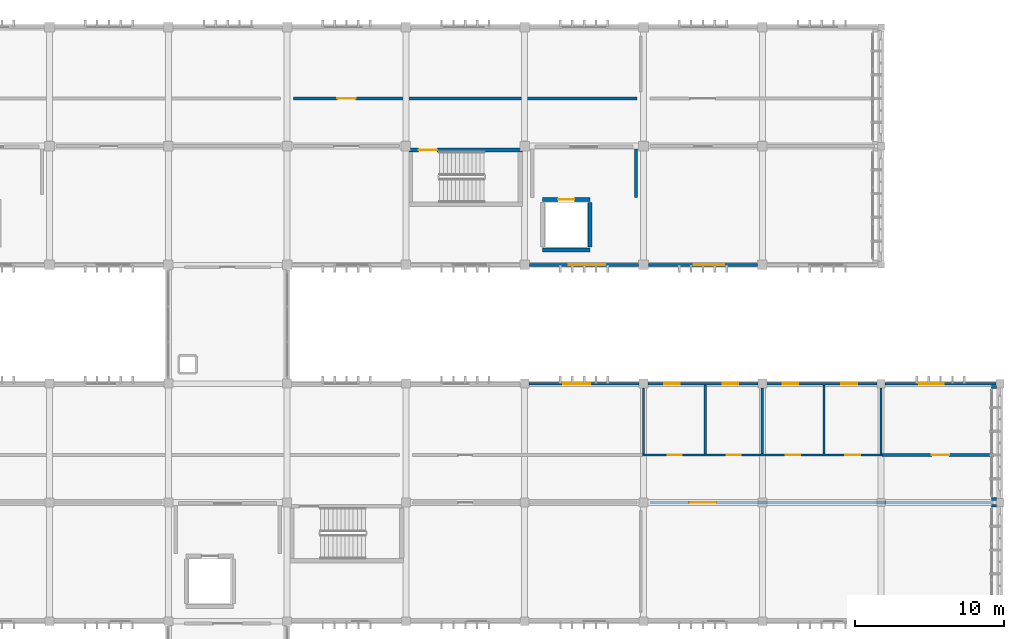
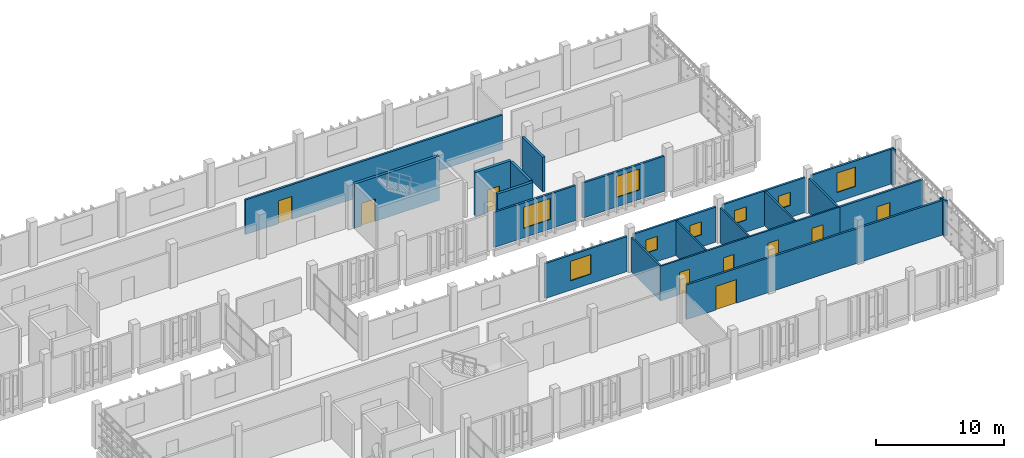
# One storey, part 53 of 63: 23 walls, 9 doors, 8 windows, 17 openings.
"""IFC4 building model written with IfcOpenShell, lengths in metres."""

from ifc_helpers import new_model, si_unit, direction, frame, frame_2d, origin, place, context, subcontext, project, spatial, rectangle, extrude, material, layer, layer_set, type_object, element, fill, save


model = new_model("IFC4")

# Units and contexts
model_context = context("Model", 3, precision=1e-05, world=origin(), true_north=direction((0.0, 1.0)))
body_context = subcontext(model_context, "Body", "Model", "MODEL_VIEW")
ifc_project = project(units=[si_unit("LENGTHUNIT", "METRE"), si_unit("AREAUNIT", "SQUARE_METRE"), si_unit("VOLUMEUNIT", "CUBIC_METRE"), si_unit("PLANEANGLEUNIT", "RADIAN"), si_unit("MASSUNIT", "GRAM", prefix="KILO")], contexts=[model_context])

# Site, building, storey
site_placement = place(None, origin())
site = spatial("IfcSite", under=ifc_project, at=site_placement, CompositionType="ELEMENT")
building_placement = place(site_placement, origin())
building = spatial("IfcBuilding", under=site, at=building_placement, Name="Jelvoka-Kovrelna Polytechnic", CompositionType="ELEMENT")
storey_placement = place(building_placement, frame((0.0, 0.0, 18.0)))
storey = spatial("IfcBuildingStorey", under=building, at=storey_placement, Name="L05", CompositionType="ELEMENT", Elevation=18.0)

# Wall
ifc_material_1 = material(Name="Concrete C35/45", Category="concrete")
ifc_layer_1 = layer(ifc_material_1, 0.219970703125)
ifc_layer_set_1 = layer_set([ifc_layer_1], Name="Concrete C35/45")
wall_type_1 = type_object("IfcWallType", Name="Wall_Compartment_220", PredefinedType="PARTITIONING", material=ifc_layer_set_1)
wall_1_placement = place(storey_placement, frame((175.5, 60.550048828125, 0.0), z_axis=(0.0, 0.0, 1.0), x_axis=(0.0, 1.0, 0.0)))
element("IfcWall", 1, at=wall_1_placement, inside=storey, type_object=wall_type_1, Name="L05 interior wall 0369", PredefinedType="PARTITIONING", context=body_context, shape_type="SweptSolid", body=[
    extrude(rectangle(XDim=3.25, YDim=0.219970703125, at=frame_2d((1.625, 0.0))), origin(), (0.0, 0.0, 1.0), 3.300048828125),
])

# Wall, opening, door
ifc_material_2 = material(Name="Concrete C40/50", Category="concrete")
ifc_layer_2 = layer(ifc_material_2, 0.25)
ifc_layer_set_2 = layer_set([ifc_layer_2], Name="Concrete C40/50")
wall_type_2 = type_object("IfcWallType", Name="Wall_Core_250", PredefinedType="SOLIDWALL", material=ifc_layer_set_2)
wall_2_placement = place(storey_placement, frame((160.199951171875, 63.739990234375, 0.0), z_axis=(0.0, 0.0, 1.0), x_axis=(1.0, 0.0, 0.0)))
wall_2 = element("IfcWall", 2, at=wall_2_placement, inside=storey, type_object=wall_type_2, Name="L05 interior wall 0203", PredefinedType="SOLIDWALL", context=body_context, shape_type="SweptSolid", body=[
    extrude(rectangle(XDim=7.650146484375, YDim=0.25, at=frame_2d((3.8251953125, 0.0))), origin(), (0.0, 0.0, 1.0), 4.199951171875),
])
opening_1_placement = place(wall_2_placement, frame((0.64990234375, 0.0, 0.0)))
opening_1 = element("IfcOpeningElement", 3, at=opening_1_placement, cuts=wall_2, Name="Opening SD-L05-051", PredefinedType="OPENING", context=body_context, shape_type="SweptSolid", body=[
    extrude(rectangle(XDim=1.25, YDim=2.14990234375, at=frame_2d((0.625, 1.074951171875))), frame((0.0, 0.135009765625, 0.0), z_axis=(0.0, -1.0, 0.0), x_axis=(1.0, 0.0, 0.0)), (0.0, 0.0, 1.0), 0.27001953125),
])
ifc_material_3 = material(Name="Powder-coated steel fire door", Category="steel")
door_type_1 = type_object("IfcDoorType", Name="Door_Fire_FD02", OperationType="NOTDEFINED", PredefinedType="DOOR", material=ifc_material_3)
door_1_placement = place(opening_1_placement, origin())
door_1 = element("IfcDoor", 4, at=door_1_placement, inside=storey, type_object=door_type_1, Name="L05 interior door SD-L05-051", OperationType="SINGLE_SWING_LEFT", OverallHeight=2.14990234375, OverallWidth=1.25, PredefinedType="DOOR", context=body_context, shape_type="SweptSolid", body=[
    extrude(rectangle(XDim=1.25, YDim=2.14990234375, at=frame_2d((0.625, 1.074951171875))), frame((0.0, 0.02490234375, 0.0), z_axis=(0.0, -1.0, 0.0), x_axis=(1.0, 0.0, 0.0)), (0.0, 0.0, 1.0), 0.050048828125),
])
fill(opening_1, door_1)

# Wall
wall_3_placement = place(storey_placement, frame((169.199951171875, 57.0, 0.0), z_axis=(0.0, 0.0, 1.0), x_axis=(1.0, 0.0, 0.0)))
element("IfcWall", 5, at=wall_3_placement, inside=storey, type_object=wall_type_2, Name="L05 interior wall 0363", PredefinedType="SOLIDWALL", context=body_context, shape_type="SweptSolid", body=[
    extrude(rectangle(XDim=3.199951171875, YDim=0.25, at=frame_2d((1.60009765625, 0.0))), origin(), (0.0, 0.0, 1.0), 4.199951171875),
])

# Wall, opening, door
wall_4_placement = place(storey_placement, frame((169.199951171875, 60.39990234375, 0.0), z_axis=(0.0, 0.0, 1.0), x_axis=(1.0, 0.0, 0.0)))
wall_4 = element("IfcWall", 6, at=wall_4_placement, inside=storey, type_object=wall_type_2, Name="L05 interior wall 0364", PredefinedType="SOLIDWALL", context=body_context, shape_type="SweptSolid", body=[
    extrude(rectangle(XDim=3.199951171875, YDim=0.25, at=frame_2d((1.60009765625, 0.0))), origin(), (0.0, 0.0, 1.0), 4.199951171875),
])
opening_2_placement = place(wall_4_placement, frame((1.050048828125, 0.0, 0.0)))
opening_2 = element("IfcOpeningElement", 7, at=opening_2_placement, cuts=wall_4, Name="Opening LD-L05-15", PredefinedType="OPENING", context=body_context, shape_type="SweptSolid", body=[
    extrude(rectangle(XDim=1.10009765625, YDim=2.14990234375, at=frame_2d((0.550048828125, 1.074951171875))), frame((0.0, 0.135009765625, 0.0), z_axis=(0.0, -1.0, 0.0), x_axis=(1.0, 0.0, 0.0)), (0.0, 0.0, 1.0), 0.27001953125),
])
ifc_material_4 = material(Name="Brushed stainless steel sliding landing door", Category="steel")
door_type_2 = type_object("IfcDoorType", Name="Door_Lift_LD01", OperationType="NOTDEFINED", PredefinedType="DOOR", material=ifc_material_4)
door_2_placement = place(opening_2_placement, origin())
door_2 = element("IfcDoor", 8, at=door_2_placement, inside=storey, type_object=door_type_2, Name="L05 lift landing sliding door LD-L05-15", OperationType="DOUBLE_DOOR_SLIDING", OverallHeight=2.14990234375, OverallWidth=1.10009765625, PredefinedType="DOOR", context=body_context, shape_type="SweptSolid", body=[
    extrude(rectangle(XDim=1.10009765625, YDim=2.14990234375, at=frame_2d((0.550048828125, 1.074951171875))), frame((0.0, 0.02490234375, 0.0), z_axis=(0.0, -1.0, 0.0), x_axis=(1.0, 0.0, 0.0)), (0.0, 0.0, 1.0), 0.050048828125),
])
fill(opening_2, door_2)

# Wall
wall_5_placement = place(storey_placement, frame((172.39990234375, 57.199951171875, 0.0), z_axis=(0.0, 0.0, 1.0), x_axis=(0.0, 1.0, 0.0)))
element("IfcWall", 9, at=wall_5_placement, inside=storey, type_object=wall_type_2, Name="L05 interior wall 0366", PredefinedType="SOLIDWALL", context=body_context, shape_type="SweptSolid", body=[
    extrude(rectangle(XDim=3.0, YDim=0.25, at=frame_2d((1.5, 0.0))), origin(), (0.0, 0.0, 1.0), 4.199951171875),
])

# Wall, opening, door
ifc_material_5 = material(Name="Autoclaved aerated concrete blockwork", Category="masonry")
ifc_layer_3 = layer(ifc_material_5, 0.179931640625)
ifc_layer_set_3 = layer_set([ifc_layer_3], Name="Autoclaved aerated concrete blockwork")
wall_type_3 = type_object("IfcWallType", Name="Wall_Corridor_180", PredefinedType="PARTITIONING", material=ifc_layer_set_3)
wall_6_placement = place(storey_placement, frame((176.429931640625, 40.0, 0.0), z_axis=(0.0, 0.0, 1.0), x_axis=(1.0, 0.0, 0.0)))
wall_6 = element("IfcWall", 10, at=wall_6_placement, inside=storey, type_object=wall_type_3, Name="L05 interior wall 1199", PredefinedType="PARTITIONING", context=body_context, shape_type="SweptSolid", body=[
    extrude(rectangle(XDim=23.14013671875, YDim=0.179931640625, at=frame_2d((11.570068359375, 0.0))), origin(), (0.0, 0.0, 1.0), 3.300048828125),
])
opening_3_placement = place(wall_6_placement, frame((2.659912109375, 0.0, 0.0)))
opening_3 = element("IfcOpeningElement", 11, at=opening_3_placement, cuts=wall_6, Name="Opening D-L05-389", PredefinedType="OPENING", context=body_context, shape_type="SweptSolid", body=[
    extrude(rectangle(XDim=1.820068359375, YDim=2.25, at=frame_2d((0.91015625, 1.125))), frame((0.0, 0.099853515625, 0.0), z_axis=(0.0, -1.0, 0.0), x_axis=(1.0, 0.0, 0.0)), (0.0, 0.0, 1.0), 0.199951171875),
])
ifc_material_6 = material(Name="Paired hardwood fire-resisting assembly door", Category="wood")
door_type_3 = type_object("IfcDoorType", Name="Door_Fire_FD30_10", OperationType="NOTDEFINED", PredefinedType="DOOR", material=ifc_material_6)
door_3_placement = place(opening_3_placement, origin())
door_3 = element("IfcDoor", 12, at=door_3_placement, inside=storey, type_object=door_type_3, Name="L05 interior door D-L05-389", OperationType="DOUBLE_DOOR_SINGLE_SWING", OverallHeight=2.25, OverallWidth=1.820068359375, PredefinedType="DOOR", context=body_context, shape_type="SweptSolid", body=[
    extrude(rectangle(XDim=1.820068359375, YDim=2.25, at=frame_2d((0.91015625, 1.125))), frame((0.0, 0.02490234375, 0.0), z_axis=(0.0, -1.0, 0.0), x_axis=(1.0, 0.0, 0.0)), (0.0, 0.0, 1.0), 0.050048828125),
])
fill(opening_3, door_3)

wall_7_placement = place(storey_placement, frame((192.074951171875, 43.199951171875, 0.0), z_axis=(0.0, 0.0, 1.0), x_axis=(1.0, 0.0, 0.0)))
wall_7 = element("IfcWall", 13, at=wall_7_placement, inside=storey, type_object=wall_type_3, Name="L05 interior wall 1202", PredefinedType="PARTITIONING", context=body_context, shape_type="SweptSolid", body=[
    extrude(rectangle(XDim=7.4951171875, YDim=0.179931640625, at=frame_2d((3.74755859375, 0.0))), origin(), (0.0, 0.0, 1.0), 3.300048828125),
])
opening_4_placement = place(wall_7_placement, frame((3.35009765625, 0.0, 0.0)))
opening_4 = element("IfcOpeningElement", 14, at=opening_4_placement, cuts=wall_7, Name="Opening D-L05-392", PredefinedType="OPENING", context=body_context, shape_type="SweptSolid", body=[
    extrude(rectangle(XDim=1.14990234375, YDim=2.14990234375, at=frame_2d((0.574951171875, 1.074951171875))), frame((0.0, 0.099853515625, 0.0), z_axis=(0.0, -1.0, 0.0), x_axis=(1.0, 0.0, 0.0)), (0.0, 0.0, 1.0), 0.199951171875),
])
ifc_material_7 = material(Name="Hardwood fire-resisting laboratory door", Category="wood")
door_type_4 = type_object("IfcDoorType", Name="Door_Fire_FD30_03", OperationType="NOTDEFINED", PredefinedType="DOOR", material=ifc_material_7)
door_4_placement = place(opening_4_placement, origin())
door_4 = element("IfcDoor", 15, at=door_4_placement, inside=storey, type_object=door_type_4, Name="L05 interior door D-L05-392", OperationType="SINGLE_SWING_LEFT", OverallHeight=2.14990234375, OverallWidth=1.14990234375, PredefinedType="DOOR", context=body_context, shape_type="SweptSolid", body=[
    extrude(rectangle(XDim=1.14990234375, YDim=2.14990234375, at=frame_2d((0.574951171875, 1.074951171875))), frame((0.0, 0.02490234375, 0.0), z_axis=(0.0, -1.0, 0.0), x_axis=(1.0, 0.0, 0.0)), (0.0, 0.0, 1.0), 0.050048828125),
])
fill(opening_4, door_4)

wall_8_placement = place(storey_placement, frame((152.429931640625, 67.199951171875, 0.0), z_axis=(0.0, 0.0, 1.0), x_axis=(1.0, 0.0, 0.0)))
wall_8 = element("IfcWall", 16, at=wall_8_placement, inside=storey, type_object=wall_type_3, Name="L05 interior wall 1213", PredefinedType="PARTITIONING", context=body_context, shape_type="SweptSolid", body=[
    extrude(rectangle(XDim=23.14013671875, YDim=0.179931640625, at=frame_2d((11.570068359375, 0.0))), origin(), (0.0, 0.0, 1.0), 3.300048828125),
])
opening_5_placement = place(wall_8_placement, frame((2.9599609375, 0.0, 0.0)))
opening_5 = element("IfcOpeningElement", 17, at=opening_5_placement, cuts=wall_8, Name="Opening D-L05-402", PredefinedType="OPENING", context=body_context, shape_type="SweptSolid", body=[
    extrude(rectangle(XDim=1.219970703125, YDim=2.179931640625, at=frame_2d((0.60986328125, 1.08984375))), frame((0.0, 0.099853515625, 0.0), z_axis=(0.0, -1.0, 0.0), x_axis=(1.0, 0.0, 0.0)), (0.0, 0.0, 1.0), 0.199951171875),
])
ifc_material_8 = material(Name="Hardwood fire-resisting laboratory door", Category="wood")
door_type_5 = type_object("IfcDoorType", Name="Door_Fire_FD30_04", OperationType="NOTDEFINED", PredefinedType="DOOR", material=ifc_material_8)
door_5_placement = place(opening_5_placement, origin())
door_5 = element("IfcDoor", 18, at=door_5_placement, inside=storey, type_object=door_type_5, Name="L05 interior door D-L05-402", OperationType="SINGLE_SWING_RIGHT", OverallHeight=2.179931640625, OverallWidth=1.219970703125, PredefinedType="DOOR", context=body_context, shape_type="SweptSolid", body=[
    extrude(rectangle(XDim=1.219970703125, YDim=2.179931640625, at=frame_2d((0.60986328125, 1.08984375))), frame((0.0, 0.02490234375, 0.0), z_axis=(0.0, -1.0, 0.0), x_axis=(1.0, 0.0, 0.0)), (0.0, 0.0, 1.0), 0.050048828125),
])
fill(opening_5, door_5)

# Wall, opening, window
ifc_material_9 = material(Name="Precast concrete C40/50", Category="concrete")
ifc_layer_4 = layer(ifc_material_9, 0.18505859375)
ifc_layer_set_4 = layer_set([ifc_layer_4], Name="Precast concrete C40/50")
wall_type_4 = type_object("IfcWallType", Name="Wall_Ext_White_260", PredefinedType="STANDARD", material=ifc_layer_set_4)
wall_9_placement = place(storey_placement, frame((168.297119140625, 48.0, 0.0), z_axis=(0.0, 0.0, 1.0), x_axis=(1.0, 0.0, 0.0)))
wall_9 = element("IfcWall", 19, at=wall_9_placement, inside=storey, type_object=wall_type_4, Name="L05 exterior wall 0515", PredefinedType="STANDARD", context=body_context, shape_type="SweptSolid", body=[
    extrude(rectangle(XDim=7.40576171875, YDim=0.18505859375, at=frame_2d((3.702880859375, 0.0))), origin(), (0.0, 0.0, 1.0), 3.3349609375),
])
opening_6_placement = place(wall_9_placement, frame((2.282958984375, 0.0, 0.89990234375)))
opening_6 = element("IfcOpeningElement", 20, at=opening_6_placement, cuts=wall_9, Name="Opening W-L05-214", PredefinedType="OPENING", context=body_context, shape_type="SweptSolid", body=[
    extrude(rectangle(XDim=1.85009765625, YDim=1.85009765625, at=frame_2d((0.925048828125, 0.925048828125))), frame((0.0, 0.1025390625, 0.0), z_axis=(0.0, -1.0, 0.0), x_axis=(1.0, 0.0, 0.0)), (0.0, 0.0, 1.0), 0.205078125),
])
ifc_material_10 = material(Name="Thermally broken anodised aluminium and low-e glazing", Category="aluminium")
window_type_1 = type_object("IfcWindowType", Name="Win_Casement_W45", PartitioningType="DOUBLE_PANEL_VERTICAL", PredefinedType="WINDOW", material=ifc_material_10)
window_1_placement = place(opening_6_placement, origin())
window_1 = element("IfcWindow", 21, at=window_1_placement, inside=storey, type_object=window_type_1, Name="L05 aluminium casement window W-L05-214", OverallHeight=1.85009765625, OverallWidth=1.85009765625, PartitioningType="DOUBLE_PANEL_VERTICAL", PredefinedType="WINDOW", context=body_context, shape_type="SweptSolid", body=[
    extrude(rectangle(XDim=1.85009765625, YDim=1.85009765625, at=frame_2d((0.925048828125, 0.925048828125))), frame((0.0, 0.030029296875, 0.0), z_axis=(0.0, -1.0, 0.0), x_axis=(1.0, 0.0, 0.0)), (0.0, 0.0, 1.0), 0.06005859375),
])
fill(opening_6, window_1)

# Wall, openings, windows
wall_10_placement = place(storey_placement, frame((176.297119140625, 48.0, 0.0), z_axis=(0.0, 0.0, 1.0), x_axis=(1.0, 0.0, 0.0)))
wall_10 = element("IfcWall", 22, at=wall_10_placement, inside=storey, type_object=wall_type_4, Name="L05 exterior wall 0517", PredefinedType="STANDARD", context=body_context, shape_type="SweptSolid", body=[
    extrude(rectangle(XDim=7.40576171875, YDim=0.18505859375, at=frame_2d((3.702880859375, 0.0))), origin(), (0.0, 0.0, 1.0), 3.3349609375),
])
opening_7_placement = place(wall_10_placement, frame((1.0830078125, 0.0, 1.14990234375)))
opening_7 = element("IfcOpeningElement", 23, at=opening_7_placement, cuts=wall_10, Name="Opening W-L05-216", PredefinedType="OPENING", context=body_context, shape_type="SweptSolid", body=[
    extrude(rectangle(XDim=1.050048828125, YDim=1.25, at=frame_2d((0.52490234375, 0.625))), frame((0.0, 0.1025390625, 0.0), z_axis=(0.0, -1.0, 0.0), x_axis=(1.0, 0.0, 0.0)), (0.0, 0.0, 1.0), 0.205078125),
])
opening_8_placement = place(wall_10_placement, frame((5.032958984375, 0.0, 1.14990234375)))
opening_8 = element("IfcOpeningElement", 24, at=opening_8_placement, cuts=wall_10, Name="Opening W-L05-217", PredefinedType="OPENING", context=body_context, shape_type="SweptSolid", body=[
    extrude(rectangle(XDim=1.050048828125, YDim=1.25, at=frame_2d((0.52490234375, 0.625))), frame((0.0, 0.1025390625, 0.0), z_axis=(0.0, -1.0, 0.0), x_axis=(1.0, 0.0, 0.0)), (0.0, 0.0, 1.0), 0.205078125),
])
ifc_material_11 = material(Name="Thermally broken anodised aluminium and low-e glazing", Category="aluminium")
window_type_2 = type_object("IfcWindowType", Name="Win_Casement_W01", PartitioningType="SINGLE_PANEL", PredefinedType="WINDOW", material=ifc_material_11)
window_2_placement = place(opening_7_placement, origin())
window_2 = element("IfcWindow", 25, at=window_2_placement, inside=storey, type_object=window_type_2, Name="L05 aluminium casement window W-L05-216", OverallHeight=1.25, OverallWidth=1.050048828125, PartitioningType="SINGLE_PANEL", PredefinedType="WINDOW", context=body_context, shape_type="SweptSolid", body=[
    extrude(rectangle(XDim=1.050048828125, YDim=1.25, at=frame_2d((0.52490234375, 0.625))), frame((0.0, 0.030029296875, 0.0), z_axis=(0.0, -1.0, 0.0), x_axis=(1.0, 0.0, 0.0)), (0.0, 0.0, 1.0), 0.06005859375),
])
fill(opening_7, window_2)
window_3_placement = place(opening_8_placement, origin())
window_3 = element("IfcWindow", 26, at=window_3_placement, inside=storey, type_object=window_type_2, Name="L05 aluminium casement window W-L05-217", OverallHeight=1.25, OverallWidth=1.050048828125, PartitioningType="SINGLE_PANEL", PredefinedType="WINDOW", context=body_context, shape_type="SweptSolid", body=[
    extrude(rectangle(XDim=1.050048828125, YDim=1.25, at=frame_2d((0.52490234375, 0.625))), frame((0.0, 0.030029296875, 0.0), z_axis=(0.0, -1.0, 0.0), x_axis=(1.0, 0.0, 0.0)), (0.0, 0.0, 1.0), 0.06005859375),
])
fill(opening_8, window_3)

wall_11_placement = place(storey_placement, frame((184.297119140625, 48.0, 0.0), z_axis=(0.0, 0.0, 1.0), x_axis=(1.0, 0.0, 0.0)))
wall_11 = element("IfcWall", 27, at=wall_11_placement, inside=storey, type_object=wall_type_4, Name="L05 exterior wall 0519", PredefinedType="STANDARD", context=body_context, shape_type="SweptSolid", body=[
    extrude(rectangle(XDim=7.430908203125, YDim=0.18505859375, at=frame_2d((3.71533203125, 0.0))), origin(), (0.0, 0.0, 1.0), 3.3349609375),
])
opening_9_placement = place(wall_11_placement, frame((1.0830078125, 0.0, 1.14990234375)))
opening_9 = element("IfcOpeningElement", 28, at=opening_9_placement, cuts=wall_11, Name="Opening W-L05-219", PredefinedType="OPENING", context=body_context, shape_type="SweptSolid", body=[
    extrude(rectangle(XDim=1.050048828125, YDim=1.25, at=frame_2d((0.52490234375, 0.625))), frame((0.0, 0.1025390625, 0.0), z_axis=(0.0, -1.0, 0.0), x_axis=(1.0, 0.0, 0.0)), (0.0, 0.0, 1.0), 0.205078125),
])
opening_10_placement = place(wall_11_placement, frame((5.032958984375, 0.0, 1.14990234375)))
opening_10 = element("IfcOpeningElement", 29, at=opening_10_placement, cuts=wall_11, Name="Opening W-L05-220", PredefinedType="OPENING", context=body_context, shape_type="SweptSolid", body=[
    extrude(rectangle(XDim=1.050048828125, YDim=1.25, at=frame_2d((0.52490234375, 0.625))), frame((0.0, 0.1025390625, 0.0), z_axis=(0.0, -1.0, 0.0), x_axis=(1.0, 0.0, 0.0)), (0.0, 0.0, 1.0), 0.205078125),
])
window_4_placement = place(opening_9_placement, origin())
window_4 = element("IfcWindow", 30, at=window_4_placement, inside=storey, type_object=window_type_2, Name="L05 aluminium casement window W-L05-219", OverallHeight=1.25, OverallWidth=1.050048828125, PartitioningType="SINGLE_PANEL", PredefinedType="WINDOW", context=body_context, shape_type="SweptSolid", body=[
    extrude(rectangle(XDim=1.050048828125, YDim=1.25, at=frame_2d((0.52490234375, 0.625))), frame((0.0, 0.030029296875, 0.0), z_axis=(0.0, -1.0, 0.0), x_axis=(1.0, 0.0, 0.0)), (0.0, 0.0, 1.0), 0.06005859375),
])
fill(opening_9, window_4)
window_5_placement = place(opening_10_placement, origin())
window_5 = element("IfcWindow", 31, at=window_5_placement, inside=storey, type_object=window_type_2, Name="L05 aluminium casement window W-L05-220", OverallHeight=1.25, OverallWidth=1.050048828125, PartitioningType="SINGLE_PANEL", PredefinedType="WINDOW", context=body_context, shape_type="SweptSolid", body=[
    extrude(rectangle(XDim=1.050048828125, YDim=1.25, at=frame_2d((0.52490234375, 0.625))), frame((0.0, 0.030029296875, 0.0), z_axis=(0.0, -1.0, 0.0), x_axis=(1.0, 0.0, 0.0)), (0.0, 0.0, 1.0), 0.06005859375),
])
fill(opening_10, window_5)

# Wall, opening, window
wall_12_placement = place(storey_placement, frame((192.27197265625, 48.0, 0.0), z_axis=(0.0, 0.0, 1.0), x_axis=(1.0, 0.0, 0.0)))
wall_12 = element("IfcWall", 32, at=wall_12_placement, inside=storey, type_object=wall_type_4, Name="L05 exterior wall 0521", PredefinedType="STANDARD", context=body_context, shape_type="SweptSolid", body=[
    extrude(rectangle(XDim=7.4560546875, YDim=0.18505859375, at=frame_2d((3.72802734375, 0.0))), origin(), (0.0, 0.0, 1.0), 3.3349609375),
])
opening_11_placement = place(wall_12_placement, frame((2.30810546875, 0.0, 0.89990234375)))
opening_11 = element("IfcOpeningElement", 33, at=opening_11_placement, cuts=wall_12, Name="Opening W-L05-222", PredefinedType="OPENING", context=body_context, shape_type="SweptSolid", body=[
    extrude(rectangle(XDim=1.64990234375, YDim=1.85009765625, at=frame_2d((0.824951171875, 0.925048828125))), frame((0.0, 0.1025390625, 0.0), z_axis=(0.0, -1.0, 0.0), x_axis=(1.0, 0.0, 0.0)), (0.0, 0.0, 1.0), 0.205078125),
])
ifc_material_12 = material(Name="Thermally broken anodised aluminium and low-e glazing", Category="aluminium")
window_type_3 = type_object("IfcWindowType", Name="Win_Casement_W44", PartitioningType="DOUBLE_PANEL_VERTICAL", PredefinedType="WINDOW", material=ifc_material_12)
window_6_placement = place(opening_11_placement, origin())
window_6 = element("IfcWindow", 34, at=window_6_placement, inside=storey, type_object=window_type_3, Name="L05 aluminium casement window W-L05-222", OverallHeight=1.85009765625, OverallWidth=1.64990234375, PartitioningType="DOUBLE_PANEL_VERTICAL", PredefinedType="WINDOW", context=body_context, shape_type="SweptSolid", body=[
    extrude(rectangle(XDim=1.64990234375, YDim=1.85009765625, at=frame_2d((0.824951171875, 0.925048828125))), frame((0.0, 0.030029296875, 0.0), z_axis=(0.0, -1.0, 0.0), x_axis=(1.0, 0.0, 0.0)), (0.0, 0.0, 1.0), 0.06005859375),
])
fill(opening_11, window_6)

wall_13_placement = place(storey_placement, frame((175.677978515625, 56.0, 0.0), z_axis=(0.0, 0.0, 1.0), x_axis=(-1.0, 0.0, 0.0)))
wall_13 = element("IfcWall", 35, at=wall_13_placement, inside=storey, type_object=wall_type_4, Name="L05 exterior wall 0737", PredefinedType="STANDARD", context=body_context, shape_type="SweptSolid", body=[
    extrude(rectangle(XDim=7.35595703125, YDim=0.18505859375, at=frame_2d((3.677978515625, 0.0))), origin(), (0.0, 0.0, 1.0), 3.3349609375),
])
opening_12_placement = place(wall_13_placement, frame((2.258056640625, 0.0, 0.89990234375)))
opening_12 = element("IfcOpeningElement", 36, at=opening_12_placement, cuts=wall_13, Name="Opening W-L05-399", PredefinedType="OPENING", context=body_context, shape_type="SweptSolid", body=[
    extrude(rectangle(XDim=2.449951171875, YDim=2.0, at=frame_2d((1.22509765625, 1.0))), frame((0.0, 0.1025390625, 0.0), z_axis=(0.0, -1.0, 0.0), x_axis=(1.0, 0.0, 0.0)), (0.0, 0.0, 1.0), 0.205078125),
])
ifc_material_13 = material(Name="Thermally broken anodised aluminium and low-e glazing", Category="aluminium")
window_type_4 = type_object("IfcWindowType", Name="Win_Casement_W58", PartitioningType="DOUBLE_PANEL_VERTICAL", PredefinedType="WINDOW", material=ifc_material_13)
window_7_placement = place(opening_12_placement, origin())
window_7 = element("IfcWindow", 37, at=window_7_placement, inside=storey, type_object=window_type_4, Name="L05 aluminium casement window W-L05-399", OverallHeight=2.0, OverallWidth=2.449951171875, PartitioningType="DOUBLE_PANEL_VERTICAL", PredefinedType="WINDOW", context=body_context, shape_type="SweptSolid", body=[
    extrude(rectangle(XDim=2.449951171875, YDim=2.0, at=frame_2d((1.22509765625, 1.0))), frame((0.0, 0.030029296875, 0.0), z_axis=(0.0, -1.0, 0.0), x_axis=(1.0, 0.0, 0.0)), (0.0, 0.0, 1.0), 0.06005859375),
])
fill(opening_12, window_7)

wall_14_placement = place(storey_placement, frame((183.677978515625, 56.0, 0.0), z_axis=(0.0, 0.0, 1.0), x_axis=(-1.0, 0.0, 0.0)))
wall_14 = element("IfcWall", 38, at=wall_14_placement, inside=storey, type_object=wall_type_4, Name="L05 exterior wall 0739", PredefinedType="STANDARD", context=body_context, shape_type="SweptSolid", body=[
    extrude(rectangle(XDim=7.35595703125, YDim=0.18505859375, at=frame_2d((3.677978515625, 0.0))), origin(), (0.0, 0.0, 1.0), 3.3349609375),
])
opening_13_placement = place(wall_14_placement, frame((2.258056640625, 0.0, 0.89990234375)))
opening_13 = element("IfcOpeningElement", 39, at=opening_13_placement, cuts=wall_14, Name="Opening W-L05-401", PredefinedType="OPENING", context=body_context, shape_type="SweptSolid", body=[
    extrude(rectangle(XDim=2.050048828125, YDim=2.0, at=frame_2d((1.02490234375, 1.0))), frame((0.0, 0.1025390625, 0.0), z_axis=(0.0, -1.0, 0.0), x_axis=(1.0, 0.0, 0.0)), (0.0, 0.0, 1.0), 0.205078125),
])
ifc_material_14 = material(Name="Thermally broken anodised aluminium and low-e glazing", Category="aluminium")
window_type_5 = type_object("IfcWindowType", Name="Win_Casement_W56", PartitioningType="DOUBLE_PANEL_VERTICAL", PredefinedType="WINDOW", material=ifc_material_14)
window_8_placement = place(opening_13_placement, origin())
window_8 = element("IfcWindow", 40, at=window_8_placement, inside=storey, type_object=window_type_5, Name="L05 aluminium casement window W-L05-401", OverallHeight=2.0, OverallWidth=2.050048828125, PartitioningType="DOUBLE_PANEL_VERTICAL", PredefinedType="WINDOW", context=body_context, shape_type="SweptSolid", body=[
    extrude(rectangle(XDim=2.050048828125, YDim=2.0, at=frame_2d((1.02490234375, 1.0))), frame((0.0, 0.030029296875, 0.0), z_axis=(0.0, -1.0, 0.0), x_axis=(1.0, 0.0, 0.0)), (0.0, 0.0, 1.0), 0.06005859375),
])
fill(opening_13, window_8)

# Walls
ifc_material_15 = material(Name="Precast concrete C40/50", Category="concrete")
ifc_layer_5 = layer(ifc_material_15, 0.199951171875)
ifc_layer_set_5 = layer_set([ifc_layer_5], Name="Precast concrete C40/50")
wall_type_5 = type_object("IfcWallType", Name="Wall_Parapet_200", PredefinedType="PARAPET", material=ifc_layer_set_5)
for number, where, z_axis, x_axis, name in (
    (41, (199.760009765625, 39.780029296875, 0.0), (0.0, 0.0, 1.0), (-1.0, 0.0, 0.0), "L05 exterior wall 0527"),
    (42, (199.760009765625, 40.219970703125, 0.0), (0.0, 0.0, 1.0), (-1.0, 0.0, 0.0), "L05 exterior wall 0528"),
    (43, (199.760009765625, 47.780029296875, 0.0), (0.0, 0.0, 1.0), (-1.0, 0.0, 0.0), "L05 exterior wall 0529"),
):
    element("IfcWall", number, at=place(storey_placement, frame(where, z_axis=z_axis, x_axis=x_axis)), inside=storey, type_object=wall_type_5, Name=name, PredefinedType="PARAPET", context=body_context, shape_type="SweptSolid", body=[
        extrude(rectangle(XDim=0.320068359375, YDim=0.199951171875, at=frame_2d((0.16015625, 0.0))), origin(), (0.0, 0.0, 1.0), 3.35009765625),
    ])

# Wall, openings, doors
ifc_material_16 = material(Name="Autoclaved aerated concrete blockwork", Category="masonry")
ifc_layer_6 = layer(ifc_material_16, 0.14990234375)
ifc_layer_set_6 = layer_set([ifc_layer_6], Name="Autoclaved aerated concrete blockwork")
wall_type_6 = type_object("IfcWallType", Name="Wall_Partition_150", PredefinedType="PARTITIONING", material=ifc_layer_set_6)
wall_15_placement = place(storey_placement, frame((175.925048828125, 43.199951171875, 0.0), z_axis=(0.0, 0.0, 1.0), x_axis=(1.0, 0.0, 0.0)))
wall_15 = element("IfcWall", 44, at=wall_15_placement, inside=storey, type_object=wall_type_6, Name="L05 interior wall 1171", PredefinedType="PARTITIONING", context=body_context, shape_type="SweptSolid", body=[
    extrude(rectangle(XDim=16.14990234375, YDim=0.14990234375, at=frame_2d((8.074951171875, 0.0))), origin(), (0.0, 0.0, 1.0), 3.300048828125),
])
opening_14_placement = place(wall_15_placement, frame((1.715087890625, 0.0, 0.0)))
opening_14 = element("IfcOpeningElement", 45, at=opening_14_placement, cuts=wall_15, Name="Opening D-L05-369", PredefinedType="OPENING", context=body_context, shape_type="SweptSolid", body=[
    extrude(rectangle(XDim=0.919921875, YDim=2.1201171875, at=frame_2d((0.4599609375, 1.06005859375))), frame((0.0, 0.0849609375, 0.0), z_axis=(0.0, -1.0, 0.0), x_axis=(1.0, 0.0, 0.0)), (0.0, 0.0, 1.0), 0.169921875),
])
opening_15_placement = place(wall_15_placement, frame((5.695068359375, 0.0, 0.0)))
opening_15 = element("IfcOpeningElement", 46, at=opening_15_placement, cuts=wall_15, Name="Opening D-L05-370", PredefinedType="OPENING", context=body_context, shape_type="SweptSolid", body=[
    extrude(rectangle(XDim=0.919921875, YDim=2.1201171875, at=frame_2d((0.4599609375, 1.06005859375))), frame((0.0, 0.0849609375, 0.0), z_axis=(0.0, -1.0, 0.0), x_axis=(1.0, 0.0, 0.0)), (0.0, 0.0, 1.0), 0.169921875),
])
opening_16_placement = place(wall_15_placement, frame((9.6650390625, 0.0, 0.0)))
opening_16 = element("IfcOpeningElement", 47, at=opening_16_placement, cuts=wall_15, Name="Opening D-L05-371", PredefinedType="OPENING", context=body_context, shape_type="SweptSolid", body=[
    extrude(rectangle(XDim=0.97998046875, YDim=2.1201171875, at=frame_2d((0.489990234375, 1.06005859375))), frame((0.0, 0.0849609375, 0.0), z_axis=(0.0, -1.0, 0.0), x_axis=(1.0, 0.0, 0.0)), (0.0, 0.0, 1.0), 0.169921875),
])
opening_17_placement = place(wall_15_placement, frame((13.655029296875, 0.0, 0.0)))
opening_17 = element("IfcOpeningElement", 48, at=opening_17_placement, cuts=wall_15, Name="Opening D-L05-372", PredefinedType="OPENING", context=body_context, shape_type="SweptSolid", body=[
    extrude(rectangle(XDim=1.0, YDim=2.14990234375, at=frame_2d((0.5, 1.074951171875))), frame((0.0, 0.0849609375, 0.0), z_axis=(0.0, -1.0, 0.0), x_axis=(1.0, 0.0, 0.0)), (0.0, 0.0, 1.0), 0.169921875),
])
ifc_material_17 = material(Name="Hardwood acoustic seminar door", Category="wood")
door_type_6 = type_object("IfcDoorType", Name="Door_Int_D08", OperationType="NOTDEFINED", PredefinedType="DOOR", material=ifc_material_17)
door_6_placement = place(opening_17_placement, origin())
door_6 = element("IfcDoor", 49, at=door_6_placement, inside=storey, type_object=door_type_6, Name="L05 interior door D-L05-372", OperationType="SINGLE_SWING_LEFT", OverallHeight=2.14990234375, OverallWidth=1.0, PredefinedType="DOOR", context=body_context, shape_type="SweptSolid", body=[
    extrude(rectangle(XDim=1.0, YDim=2.14990234375, at=frame_2d((0.5, 1.074951171875))), frame((0.0, 0.02490234375, 0.0), z_axis=(0.0, -1.0, 0.0), x_axis=(1.0, 0.0, 0.0)), (0.0, 0.0, 1.0), 0.050048828125),
])
fill(opening_17, door_6)
ifc_material_18 = material(Name="Moisture-resistant laminate washroom door", Category="wood")
door_type_7 = type_object("IfcDoorType", Name="Door_Int_D24", OperationType="NOTDEFINED", PredefinedType="DOOR", material=ifc_material_18)
door_7_placement = place(opening_14_placement, origin())
door_7 = element("IfcDoor", 50, at=door_7_placement, inside=storey, type_object=door_type_7, Name="L05 interior door D-L05-369", OperationType="SINGLE_SWING_RIGHT", OverallHeight=2.1201171875, OverallWidth=0.919921875, PredefinedType="DOOR", context=body_context, shape_type="SweptSolid", body=[
    extrude(rectangle(XDim=0.919921875, YDim=2.1201171875, at=frame_2d((0.4599609375, 1.06005859375))), frame((0.0, 0.02490234375, 0.0), z_axis=(0.0, -1.0, 0.0), x_axis=(1.0, 0.0, 0.0)), (0.0, 0.0, 1.0), 0.050048828125),
])
fill(opening_14, door_7)
door_8_placement = place(opening_15_placement, origin())
door_8 = element("IfcDoor", 51, at=door_8_placement, inside=storey, type_object=door_type_7, Name="L05 interior door D-L05-370", OperationType="SINGLE_SWING_LEFT", OverallHeight=2.1201171875, OverallWidth=0.919921875, PredefinedType="DOOR", context=body_context, shape_type="SweptSolid", body=[
    extrude(rectangle(XDim=0.919921875, YDim=2.1201171875, at=frame_2d((0.4599609375, 1.06005859375))), frame((0.0, 0.02490234375, 0.0), z_axis=(0.0, -1.0, 0.0), x_axis=(1.0, 0.0, 0.0)), (0.0, 0.0, 1.0), 0.050048828125),
])
fill(opening_15, door_8)
ifc_material_19 = material(Name="Accessible unisex washroom door", Category="wood")
door_type_8 = type_object("IfcDoorType", Name="Door_Int_D25", OperationType="NOTDEFINED", PredefinedType="DOOR", material=ifc_material_19)
door_9_placement = place(opening_16_placement, origin())
door_9 = element("IfcDoor", 52, at=door_9_placement, inside=storey, type_object=door_type_8, Name="L05 interior door D-L05-371", OperationType="SINGLE_SWING_RIGHT", OverallHeight=2.1201171875, OverallWidth=0.97998046875, PredefinedType="DOOR", context=body_context, shape_type="SweptSolid", body=[
    extrude(rectangle(XDim=0.97998046875, YDim=2.1201171875, at=frame_2d((0.489990234375, 1.06005859375))), frame((0.0, 0.02490234375, 0.0), z_axis=(0.0, -1.0, 0.0), x_axis=(1.0, 0.0, 0.0)), (0.0, 0.0, 1.0), 0.050048828125),
])
fill(opening_16, door_9)

# Walls
wall_16_placement = place(storey_placement, frame((176.0, 43.27490234375, 0.0), z_axis=(0.0, 0.0, 1.0), x_axis=(0.0, 1.0, 0.0)))
element("IfcWall", 53, at=wall_16_placement, inside=storey, type_object=wall_type_6, Name="L05 interior wall 1172", PredefinedType="PARTITIONING", context=body_context, shape_type="SweptSolid", body=[
    extrude(rectangle(XDim=4.425048828125, YDim=0.14990234375, at=frame_2d((2.21240234375, 0.0))), origin(), (0.0, 0.0, 1.0), 3.300048828125),
])
wall_17_placement = place(storey_placement, frame((180.14990234375, 43.27490234375, 0.0), z_axis=(0.0, 0.0, 1.0), x_axis=(0.0, 1.0, 0.0)))
element("IfcWall", 54, at=wall_17_placement, inside=storey, type_object=wall_type_6, Name="L05 interior wall 1173", PredefinedType="PARTITIONING", context=body_context, shape_type="SweptSolid", body=[
    extrude(rectangle(XDim=4.632568359375, YDim=0.14990234375, at=frame_2d((2.31640625, 0.0))), origin(), (0.0, 0.0, 1.0), 3.300048828125),
])
wall_18_placement = place(storey_placement, frame((184.0, 43.27490234375, 0.0), z_axis=(0.0, 0.0, 1.0), x_axis=(0.0, 1.0, 0.0)))
element("IfcWall", 55, at=wall_18_placement, inside=storey, type_object=wall_type_6, Name="L05 interior wall 1174", PredefinedType="PARTITIONING", context=body_context, shape_type="SweptSolid", body=[
    extrude(rectangle(XDim=4.425048828125, YDim=0.14990234375, at=frame_2d((2.21240234375, 0.0))), origin(), (0.0, 0.0, 1.0), 3.300048828125),
])
wall_19_placement = place(storey_placement, frame((188.14990234375, 43.27490234375, 0.0), z_axis=(0.0, 0.0, 1.0), x_axis=(0.0, 1.0, 0.0)))
element("IfcWall", 56, at=wall_19_placement, inside=storey, type_object=wall_type_6, Name="L05 interior wall 1175", PredefinedType="PARTITIONING", context=body_context, shape_type="SweptSolid", body=[
    extrude(rectangle(XDim=4.632568359375, YDim=0.14990234375, at=frame_2d((2.31640625, 0.0))), origin(), (0.0, 0.0, 1.0), 3.300048828125),
])
wall_20_placement = place(storey_placement, frame((192.0, 43.27490234375, 0.0), z_axis=(0.0, 0.0, 1.0), x_axis=(0.0, 1.0, 0.0)))
element("IfcWall", 57, at=wall_20_placement, inside=storey, type_object=wall_type_6, Name="L05 interior wall 1176", PredefinedType="PARTITIONING", context=body_context, shape_type="SweptSolid", body=[
    extrude(rectangle(XDim=4.4501953125, YDim=0.14990234375, at=frame_2d((2.22509765625, 0.0))), origin(), (0.0, 0.0, 1.0), 3.300048828125),
])

save(model, "model.ifc")
